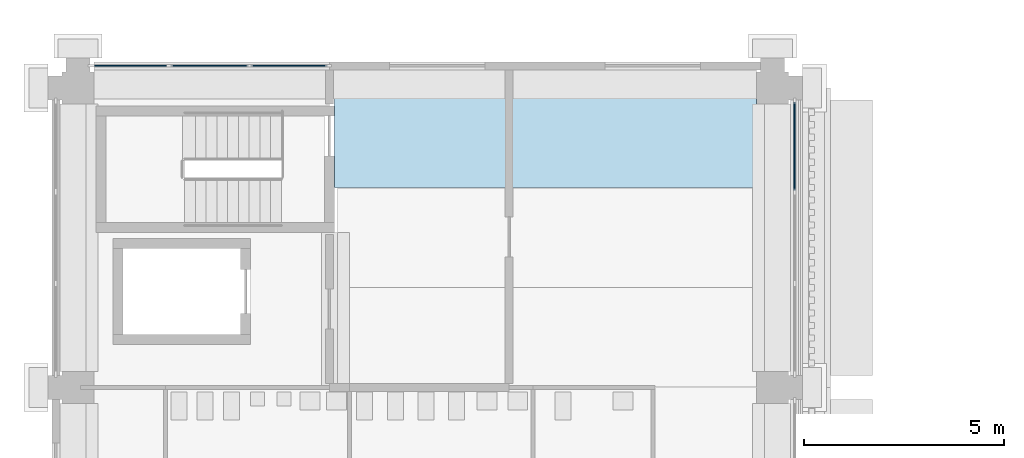
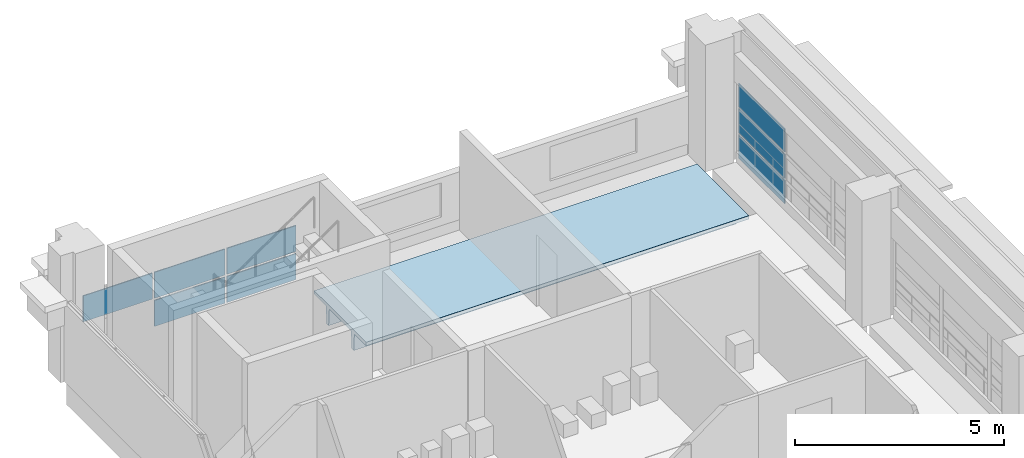
# One storey, part 26 of 71: 8 plates, 1 slab, 2 elements without a shape of their own.
"""IFC4 building model written with IfcOpenShell, lengths in metres."""

from ifc_helpers import new_model, si_unit, direction, frame, origin, origin_2d, place, context, subcontext, project, spatial, polyline, rectangle, outline, extrude, material, layer, layer_set, material_profile, profile_set, type_object, element, aggregate, save


model = new_model("IFC4")

# Units and contexts
model_context = context("Model", 3, precision=1e-05, world=origin(), true_north=direction((0.0, 1.0)))
body_context = subcontext(model_context, "Body", "Model", "MODEL_VIEW")
ifc_project = project(units=[si_unit("LENGTHUNIT", "METRE"), si_unit("AREAUNIT", "SQUARE_METRE"), si_unit("VOLUMEUNIT", "CUBIC_METRE"), si_unit("PLANEANGLEUNIT", "RADIAN"), si_unit("MASSUNIT", "GRAM", prefix="KILO")], contexts=[model_context])

# Site, building, storey
site_placement = place(None, origin())
site = spatial("IfcSite", under=ifc_project, at=site_placement, CompositionType="ELEMENT")
building_placement = place(site_placement, origin())
building = spatial("IfcBuilding", under=site, at=building_placement, Name="Cour d'Honneur Mobility Palace", CompositionType="ELEMENT")
storey_placement = place(building_placement, frame((0.0, 0.0, 15.60009765625)))
storey = spatial("IfcBuildingStorey", under=building, at=storey_placement, Name="L04", CompositionType="ELEMENT", Elevation=15.60009765625)

# Curtain wall, plates
ifc_material_1 = material(Name="Aluminium and glass", Category="aluminium")
ifc_layer_1 = layer(ifc_material_1, 0.10009765625)
ifc_layer_set_1 = layer_set([ifc_layer_1], Name="Aluminium and glass")
curtain_wall_type = type_object("IfcCurtainWallType", Name="Curtain wall run", PredefinedType="NOTDEFINED", material=ifc_layer_set_1)
curtain_wall_1_placement = place(storey_placement, origin())
curtain_wall_1 = element("IfcCurtainWall", 1, at=curtain_wall_1_placement, inside=storey, type_object=curtain_wall_type, Name="Curtain wall CW-43", PredefinedType="NOTDEFINED")
ifc_material_2 = material(Name="Double glazing", Category="glass")
ifc_layer_2 = layer(ifc_material_2, 0.028076171875)
ifc_layer_set_2 = layer_set([ifc_layer_2], Name="Double glazing")
plate_type = type_object("IfcPlateType", Name="Curtain wall panel", PredefinedType="CURTAIN_PANEL", material=ifc_layer_set_2)
plate_1_placement = place(storey_placement, frame((17.949951171875, 113.43505859375, 0.059814453125), z_axis=(0.0, 0.0, 1.0), x_axis=(0.0, 1.0, 0.0)))
plate_1 = element("IfcPlate", 2, at=plate_1_placement, type_object=plate_type, Name="CW-43 panel 3.1", PredefinedType="CURTAIN_PANEL", context=body_context, shape_type="SweptSolid", body=[
    extrude(rectangle(XDim=2.2099609375, YDim=0.028076171875, at=origin_2d()), origin(), (0.0, 0.0, 1.0), 0.6767578125),
])
plate_2_placement = place(storey_placement, frame((17.949951171875, 113.43505859375, 0.79638671875), z_axis=(0.0, 0.0, 1.0), x_axis=(0.0, 1.0, 0.0)))
plate_2 = element("IfcPlate", 3, at=plate_2_placement, type_object=plate_type, Name="CW-43 panel 3.2", PredefinedType="CURTAIN_PANEL", context=body_context, shape_type="SweptSolid", body=[
    extrude(rectangle(XDim=2.2099609375, YDim=0.028076171875, at=origin_2d()), origin(), (0.0, 0.0, 1.0), 0.706787109375),
])
plate_3_placement = place(storey_placement, frame((17.949951171875, 113.43505859375, 1.563232421875), z_axis=(0.0, 0.0, 1.0), x_axis=(0.0, 1.0, 0.0)))
plate_3 = element("IfcPlate", 4, at=plate_3_placement, type_object=plate_type, Name="CW-43 panel 3.3", PredefinedType="CURTAIN_PANEL", context=body_context, shape_type="SweptSolid", body=[
    extrude(rectangle(XDim=2.2099609375, YDim=0.028076171875, at=origin_2d()), origin(), (0.0, 0.0, 1.0), 0.6767578125),
])
aggregate(curtain_wall_1, [plate_1, plate_2, plate_3])

curtain_wall_2_placement = place(storey_placement, origin())
curtain_wall_2 = element("IfcCurtainWall", 5, at=curtain_wall_2_placement, inside=storey, type_object=curtain_wall_type, Name="Curtain wall CW-130", PredefinedType="NOTDEFINED")
plate_4_placement = place(storey_placement, frame((5.284912109375, 115.449951171875, 0.06005859375), z_axis=(0.0, 0.0, 1.0), x_axis=(-1.0, 0.0, 0.0)))
plate_4 = element("IfcPlate", 6, at=plate_4_placement, type_object=plate_type, Name="CW-130 panel 1.1", PredefinedType="CURTAIN_PANEL", context=body_context, shape_type="SweptSolid", body=[
    extrude(rectangle(XDim=1.909912109375, YDim=0.028076171875, at=origin_2d()), origin(), (0.0, 0.0, 1.0), 0.760009765625),
])
plate_5_placement = place(storey_placement, frame((5.284912109375, 115.449951171875, 0.8798828125), z_axis=(0.0, 0.0, 1.0), x_axis=(-1.0, 0.0, 0.0)))
plate_5 = element("IfcPlate", 7, at=plate_5_placement, type_object=plate_type, Name="CW-130 panel 1.2", PredefinedType="CURTAIN_PANEL", context=body_context, shape_type="SweptSolid", body=[
    extrude(rectangle(XDim=1.909912109375, YDim=0.028076171875, at=origin_2d()), origin(), (0.0, 0.0, 1.0), 0.760009765625),
])
plate_6_placement = place(storey_placement, frame((3.300048828125, 115.449951171875, 0.06005859375), z_axis=(0.0, 0.0, 1.0), x_axis=(-1.0, 0.0, 0.0)))
plate_6 = element("IfcPlate", 8, at=plate_6_placement, type_object=plate_type, Name="CW-130 panel 2.1", PredefinedType="CURTAIN_PANEL", context=body_context, shape_type="SweptSolid", body=[
    extrude(rectangle(XDim=1.93994140625, YDim=0.028076171875, at=origin_2d()), origin(), (0.0, 0.0, 1.0), 0.760009765625),
])
plate_7_placement = place(storey_placement, frame((3.300048828125, 115.449951171875, 0.8798828125), z_axis=(0.0, 0.0, 1.0), x_axis=(-1.0, 0.0, 0.0)))
plate_7 = element("IfcPlate", 9, at=plate_7_placement, type_object=plate_type, Name="CW-130 panel 2.2", PredefinedType="CURTAIN_PANEL", context=body_context, shape_type="SweptSolid", body=[
    extrude(rectangle(XDim=1.93994140625, YDim=0.028076171875, at=origin_2d()), origin(), (0.0, 0.0, 1.0), 0.760009765625),
])
plate_8_placement = place(storey_placement, frame((1.31494140625, 115.449951171875, 0.8798828125), z_axis=(0.0, 0.0, 1.0), x_axis=(-1.0, 0.0, 0.0)))
plate_8 = element("IfcPlate", 10, at=plate_8_placement, type_object=plate_type, Name="CW-130 panel 3.2", PredefinedType="CURTAIN_PANEL", context=body_context, shape_type="SweptSolid", body=[
    extrude(rectangle(XDim=1.909912109375, YDim=0.028076171875, at=origin_2d()), origin(), (0.0, 0.0, 1.0), 0.760009765625),
])
aggregate(curtain_wall_2, [plate_4, plate_5, plate_6, plate_7, plate_8])

# Slab
ifc_material_3 = material(Name="Concrete C45", Category="concrete")
ifc_material_profile = material_profile(ifc_material_3, outline(polyline([(-1.2451171875, 0.0), (1.2451171875, 0.0), (1.2451171875, -0.10009765625), (0.679931640625, -0.10009765625), (0.64990234375, -0.60009765625), (0.550048828125, -0.60009765625), (0.52001953125, -0.10009765625), (-0.52001953125, -0.10009765625), (-0.550048828125, -0.60009765625), (-0.64990234375, -0.60009765625), (-0.679931640625, -0.10009765625), (-1.2451171875, -0.10009765625), (-1.2451171875, 0.0)])), Name="DT 2490x600")
ifc_profile_set = profile_set([ifc_material_profile], Name="Concrete C45")
slab_type = type_object("IfcSlabType", Name="DT 2490x600", PredefinedType="FLOOR", material=ifc_profile_set)
slab_placement = place(storey_placement, frame((6.425048828125, 113.64990234375, 0.0), z_axis=(1.0, 0.0, 0.0), x_axis=(0.0, 1.0, 0.0)))
element("IfcSlab", 11, at=slab_placement, inside=storey, type_object=slab_type, Name="Double tee DT-NW21 L04", PredefinedType="FLOOR", context=body_context, shape_type="SweptSolid", body=[
    extrude(outline(polyline([(-1.2451171875, 0.0), (1.2451171875, 0.0), (1.2451171875, -0.10009765625), (0.679931640625, -0.10009765625), (0.64990234375, -0.60009765625), (0.550048828125, -0.60009765625), (0.52001953125, -0.10009765625), (-0.52001953125, -0.10009765625), (-0.550048828125, -0.60009765625), (-0.64990234375, -0.60009765625), (-0.679931640625, -0.10009765625), (-1.2451171875, -0.10009765625), (-1.2451171875, 0.0)])), origin(), (0.0, 0.0, 1.0), 10.574951171875),
])

save(model, "model.ifc")
